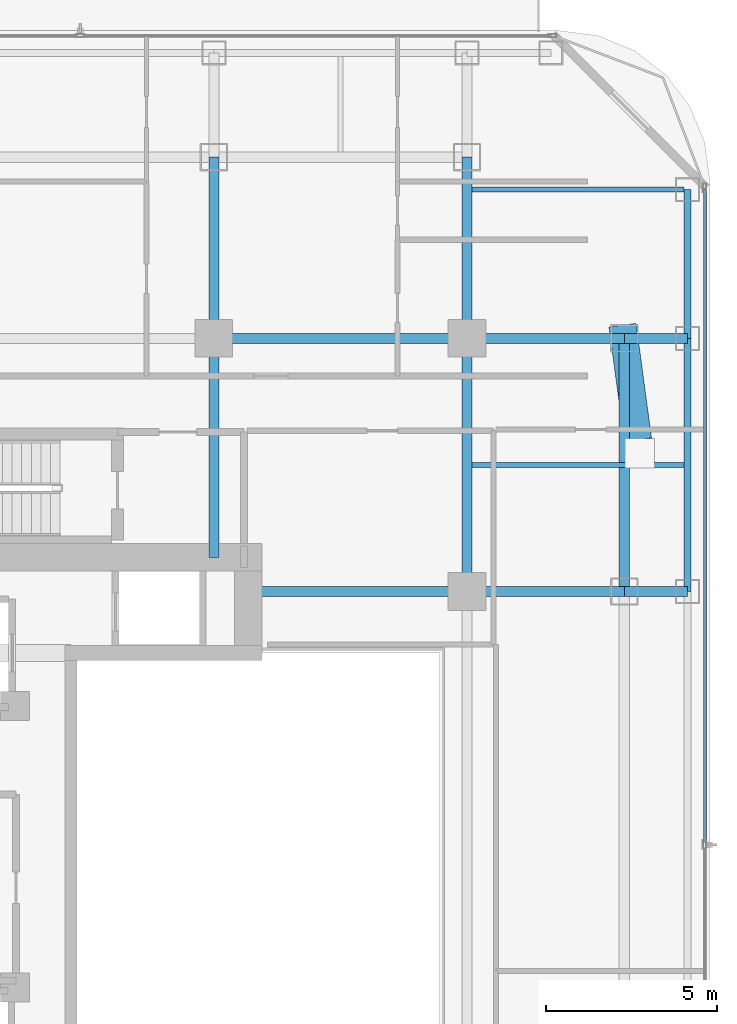
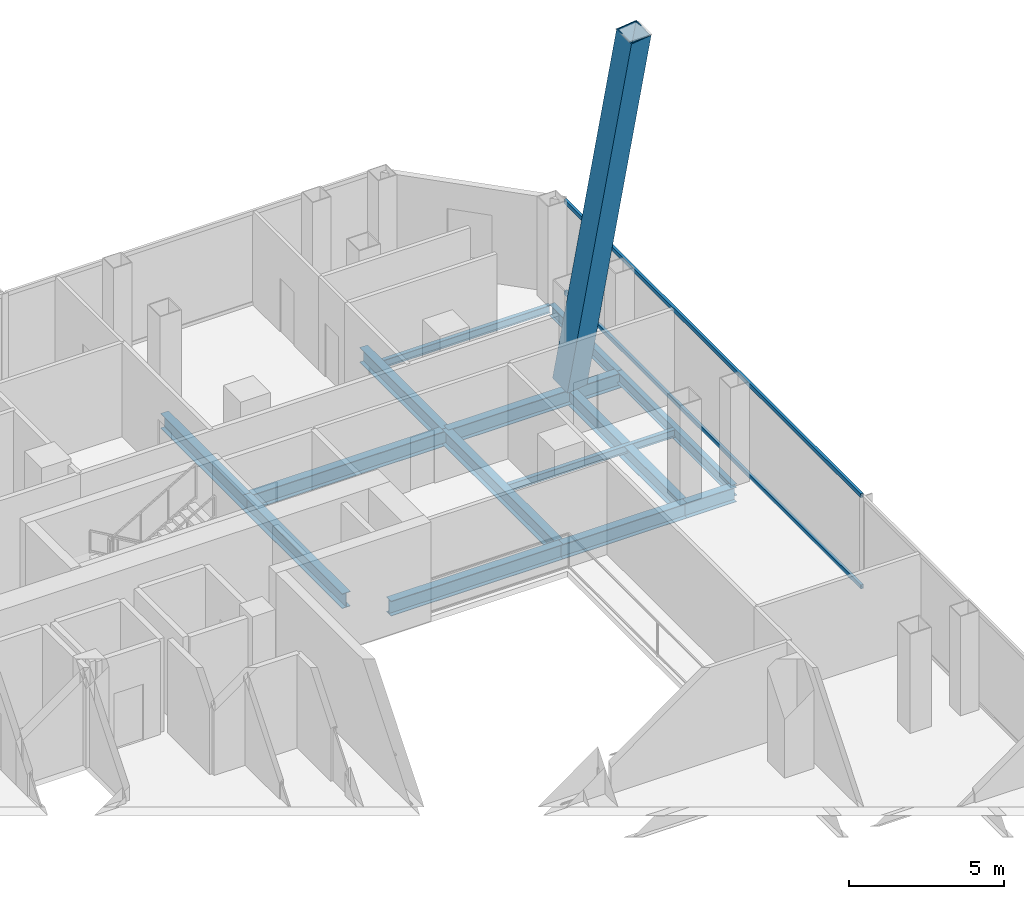
# One storey, part 20 of 34: 15 beams, 3 members, 1 element without a shape of its own.
"""IFC4 building model written with IfcOpenShell, lengths in metres."""

from ifc_helpers import new_model, si_unit, direction, frame, origin, origin_2d, place, context, subcontext, project, spatial, hollow_rectangle, i_section, extrude, material, layer, layer_set, material_profile, profile_set, type_object, element, aggregate, save


model = new_model("IFC4")

# Units and contexts
model_context = context("Model", 3, precision=1e-05, world=origin(), true_north=direction((0.0, 1.0)))
body_context = subcontext(model_context, "Body", "Model", "MODEL_VIEW")
ifc_project = project(units=[si_unit("LENGTHUNIT", "METRE"), si_unit("AREAUNIT", "SQUARE_METRE"), si_unit("VOLUMEUNIT", "CUBIC_METRE"), si_unit("PLANEANGLEUNIT", "RADIAN"), si_unit("MASSUNIT", "GRAM", prefix="KILO")], contexts=[model_context])

# Site, building, storey
site_placement = place(None, origin())
site = spatial("IfcSite", under=ifc_project, at=site_placement, CompositionType="ELEMENT")
building_placement = place(site_placement, origin())
building = spatial("IfcBuilding", under=site, at=building_placement, Name="Khorvyn Point Tower", CompositionType="ELEMENT")
storey_placement = place(building_placement, frame((0.0, 0.0, 175.800048828125)))
storey = spatial("IfcBuildingStorey", under=building, at=storey_placement, Name="L43", CompositionType="ELEMENT", Elevation=175.800048828125)

# Curtain wall, members
ifc_material_1 = material(Name="Anodised aluminium 6063-T6 and laminated Low-E glass", Category="aluminium")
ifc_layer = layer(ifc_material_1, 0.18994140625)
ifc_layer_set = layer_set([ifc_layer], Name="Stick-Built Acoustic Curtain Wall CW-SYS-03")
curtain_wall_type = type_object("IfcCurtainWallType", Name="Stick-Built Acoustic Curtain Wall CW-SYS-03", PredefinedType="NOTDEFINED", material=ifc_layer_set)
curtain_wall_placement = place(storey_placement, origin())
curtain_wall = element("IfcCurtainWall", 1, at=curtain_wall_placement, inside=storey, type_object=curtain_wall_type, Name="Curtain Wall", PredefinedType="NOTDEFINED")
ifc_material_2 = material(Name="Anodised aluminium 6063-T6", Category="aluminium")
ifc_material_profile_1 = material_profile(ifc_material_2, hollow_rectangle(XDim=0.10009765625, YDim=0.159912109375, WallThickness=0.00439453125, at=origin_2d()))
ifc_profile_set_1 = profile_set([ifc_material_profile_1], Name="Anodised aluminium 6063-T6 ALU-TRN-100x160")
member_type_1 = type_object("IfcMemberType", Name="Anodised Aluminium 6063-T6 Transom ALU-TRN-100x160", PredefinedType="USERDEFINED", material=ifc_profile_set_1)
member_1_placement = place(storey_placement, frame((21.75, 19.14990234375, 0.050048828125), z_axis=(0.0, -1.0, 0.0), x_axis=(1.0, 0.0, 0.0)))
member_1 = element("IfcMember", 2, at=member_1_placement, type_object=member_type_1, Name="Transom", ObjectType="TRANSOM", PredefinedType="USERDEFINED", context=body_context, shape_type="SweptSolid", body=[
    extrude(hollow_rectangle(XDim=0.10009765625, YDim=0.159912109375, WallThickness=0.00439453125, at=origin_2d()), origin(), (0.0, 0.0, 1.0), 19.099853515625),
])
member_2_placement = place(storey_placement, frame((21.75, 19.14990234375, 3.6298828125), z_axis=(0.0, -1.0, 0.0), x_axis=(1.0, 0.0, 0.0)))
member_2 = element("IfcMember", 3, at=member_2_placement, type_object=member_type_1, Name="Transom", ObjectType="TRANSOM", PredefinedType="USERDEFINED", context=body_context, shape_type="SweptSolid", body=[
    extrude(hollow_rectangle(XDim=0.10009765625, YDim=0.159912109375, WallThickness=0.00439453125, at=origin_2d()), origin(), (0.0, 0.0, 1.0), 19.099853515625),
])
aggregate(curtain_wall, [member_1, member_2])

# Beams
ifc_material_3 = material(Name="Steel S355", Category="steel")
ifc_material_profile_2 = material_profile(ifc_material_3, i_section(OverallWidth=0.300048828125, OverallDepth=0.587890625, WebThickness=0.011962890625, FlangeThickness=0.02001953125, at=origin_2d()))
ifc_profile_set_2 = profile_set([ifc_material_profile_2], Name="Steel S355 H588x300x12x20")
beam_type_1 = type_object("IfcBeamType", Name="Steel S355 Beam H588x300x12x20", PredefinedType="BEAM", material=ifc_profile_set_2)
beam_1_placement = place(storey_placement, frame((7.39990234375, 14.800048828125, -0.51416015625), z_axis=(1.0, 0.0, 0.0), x_axis=(0.0, 1.0, 0.0)))
element("IfcBeam", 4, at=beam_1_placement, inside=storey, type_object=beam_type_1, Name="Beam", PredefinedType="BEAM", context=body_context, shape_type="SweptSolid", body=[
    extrude(i_section(OverallWidth=0.300048828125, OverallDepth=0.587890625, WebThickness=0.011962890625, FlangeThickness=0.02001953125, at=origin_2d()), origin(), (0.0, 0.0, 1.0), 7.400146484375),
])
beam_2_placement = place(storey_placement, frame((14.800048828125, 14.800048828125, -0.51416015625), z_axis=(1.0, 0.0, 0.0), x_axis=(0.0, 1.0, 0.0)))
element("IfcBeam", 5, at=beam_2_placement, inside=storey, type_object=beam_type_1, Name="Beam", PredefinedType="BEAM", context=body_context, shape_type="SweptSolid", body=[
    extrude(i_section(OverallWidth=0.300048828125, OverallDepth=0.587890625, WebThickness=0.011962890625, FlangeThickness=0.02001953125, at=origin_2d()), origin(), (0.0, 0.0, 1.0), 4.599853515625),
])
beam_3_placement = place(storey_placement, frame((19.39990234375, 14.800048828125, -0.51416015625), z_axis=(1.0, 0.0, 0.0), x_axis=(0.0, 1.0, 0.0)))
element("IfcBeam", 6, at=beam_3_placement, inside=storey, type_object=beam_type_1, Name="Beam", PredefinedType="BEAM", context=body_context, shape_type="SweptSolid", body=[
    extrude(i_section(OverallWidth=0.300048828125, OverallDepth=0.587890625, WebThickness=0.011962890625, FlangeThickness=0.02001953125, at=origin_2d()), origin(), (0.0, 0.0, 1.0), 1.85009765625),
])
beam_4_placement = place(storey_placement, frame((8.39990234375, 7.39990234375, -0.51416015625), z_axis=(1.0, 0.0, 0.0), x_axis=(0.0, 1.0, 0.0)))
element("IfcBeam", 7, at=beam_4_placement, inside=storey, type_object=beam_type_1, Name="Beam", PredefinedType="BEAM", context=body_context, shape_type="SweptSolid", body=[
    extrude(i_section(OverallWidth=0.300048828125, OverallDepth=0.587890625, WebThickness=0.011962890625, FlangeThickness=0.02001953125, at=origin_2d()), origin(), (0.0, 0.0, 1.0), 6.400146484375),
])
beam_5_placement = place(storey_placement, frame((14.800048828125, 7.39990234375, -0.51416015625), z_axis=(1.0, 0.0, 0.0), x_axis=(0.0, 1.0, 0.0)))
element("IfcBeam", 8, at=beam_5_placement, inside=storey, type_object=beam_type_1, Name="Beam", PredefinedType="BEAM", context=body_context, shape_type="SweptSolid", body=[
    extrude(i_section(OverallWidth=0.300048828125, OverallDepth=0.587890625, WebThickness=0.011962890625, FlangeThickness=0.02001953125, at=origin_2d()), origin(), (0.0, 0.0, 1.0), 4.599853515625),
])
beam_6_placement = place(storey_placement, frame((19.39990234375, 7.39990234375, -0.51416015625), z_axis=(1.0, 0.0, 0.0), x_axis=(0.0, 1.0, 0.0)))
element("IfcBeam", 9, at=beam_6_placement, inside=storey, type_object=beam_type_1, Name="Beam", PredefinedType="BEAM", context=body_context, shape_type="SweptSolid", body=[
    extrude(i_section(OverallWidth=0.300048828125, OverallDepth=0.587890625, WebThickness=0.011962890625, FlangeThickness=0.02001953125, at=origin_2d()), origin(), (0.0, 0.0, 1.0), 1.85009765625),
])
beam_7_placement = place(storey_placement, frame((14.800048828125, 7.39990234375, -0.51416015625), z_axis=(0.0, 1.0, 0.0), x_axis=(-1.0, 0.0, 0.0)))
element("IfcBeam", 10, at=beam_7_placement, inside=storey, type_object=beam_type_1, Name="Beam", PredefinedType="BEAM", context=body_context, shape_type="SweptSolid", body=[
    extrude(i_section(OverallWidth=0.300048828125, OverallDepth=0.587890625, WebThickness=0.011962890625, FlangeThickness=0.02001953125, at=origin_2d()), origin(), (0.0, 0.0, 1.0), 7.400146484375),
])
beam_8_placement = place(storey_placement, frame((14.800048828125, 14.800048828125, -0.51416015625), z_axis=(0.0, 1.0, 0.0), x_axis=(-1.0, 0.0, 0.0)))
element("IfcBeam", 11, at=beam_8_placement, inside=storey, type_object=beam_type_1, Name="Beam", PredefinedType="BEAM", context=body_context, shape_type="SweptSolid", body=[
    extrude(i_section(OverallWidth=0.300048828125, OverallDepth=0.587890625, WebThickness=0.011962890625, FlangeThickness=0.02001953125, at=origin_2d()), origin(), (0.0, 0.0, 1.0), 5.300048828125),
])
beam_9_placement = place(storey_placement, frame((7.39990234375, 8.39990234375, -0.51416015625), z_axis=(0.0, 1.0, 0.0), x_axis=(-1.0, 0.0, 0.0)))
element("IfcBeam", 12, at=beam_9_placement, inside=storey, type_object=beam_type_1, Name="Beam", PredefinedType="BEAM", context=body_context, shape_type="SweptSolid", body=[
    extrude(i_section(OverallWidth=0.300048828125, OverallDepth=0.587890625, WebThickness=0.011962890625, FlangeThickness=0.02001953125, at=origin_2d()), origin(), (0.0, 0.0, 1.0), 6.400146484375),
])
beam_10_placement = place(storey_placement, frame((7.39990234375, 14.800048828125, -0.51416015625), z_axis=(0.0, 1.0, 0.0), x_axis=(-1.0, 0.0, 0.0)))
element("IfcBeam", 13, at=beam_10_placement, inside=storey, type_object=beam_type_1, Name="Beam", PredefinedType="BEAM", context=body_context, shape_type="SweptSolid", body=[
    extrude(i_section(OverallWidth=0.300048828125, OverallDepth=0.587890625, WebThickness=0.011962890625, FlangeThickness=0.02001953125, at=origin_2d()), origin(), (0.0, 0.0, 1.0), 5.300048828125),
])
beam_11_placement = place(storey_placement, frame((19.39990234375, 7.39990234375, -0.51416015625), z_axis=(0.0, 1.0, 0.0), x_axis=(-1.0, 0.0, 0.0)))
element("IfcBeam", 14, at=beam_11_placement, inside=storey, type_object=beam_type_1, Name="Beam", PredefinedType="BEAM", context=body_context, shape_type="SweptSolid", body=[
    extrude(i_section(OverallWidth=0.300048828125, OverallDepth=0.587890625, WebThickness=0.011962890625, FlangeThickness=0.02001953125, at=origin_2d()), origin(), (0.0, 0.0, 1.0), 7.400146484375),
])
ifc_material_profile_3 = material_profile(ifc_material_3, i_section(OverallWidth=0.14990234375, OverallDepth=0.300048828125, WebThickness=0.006591796875, FlangeThickness=0.009033203125, at=origin_2d()))
ifc_profile_set_3 = profile_set([ifc_material_profile_3], Name="Steel S355 H300x150x6.5x9")
beam_type_2 = type_object("IfcBeamType", Name="Steel S355 Joist H300x150x6.5x9", PredefinedType="JOIST", material=ifc_profile_set_3)
for number, where, z_axis, x_axis, name in (
    (15, (14.949951171875, 11.10009765625, -0.3701171875), (1.0, 0.0, 0.0), (0.0, 1.0, 0.0), "Beam"),
    (16, (14.949951171875, 19.14990234375, -0.3701171875), (1.0, 0.0, 0.0), (0.0, 1.0, 0.0), "Beam"),
):
    element("IfcBeam", number, at=place(storey_placement, frame(where, z_axis=z_axis, x_axis=x_axis)), inside=storey, type_object=beam_type_2, Name=name, PredefinedType="JOIST", context=body_context, shape_type="SweptSolid", body=[
        extrude(i_section(OverallWidth=0.14990234375, OverallDepth=0.300048828125, WebThickness=0.006591796875, FlangeThickness=0.009033203125, at=origin_2d()), origin(), (0.0, 0.0, 1.0), 6.199951171875),
    ])
ifc_material_profile_4 = material_profile(ifc_material_3, i_section(OverallWidth=0.199951171875, OverallDepth=0.449951171875, WebThickness=0.009033203125, FlangeThickness=0.013916015625, at=origin_2d()))
ifc_profile_set_4 = profile_set([ifc_material_profile_4], Name="Steel S355 H450x200x9x14")
beam_type_3 = type_object("IfcBeamType", Name="Steel S355 Spandrel H450x200x9x14", PredefinedType="SPANDREL", material=ifc_profile_set_4)
beam_12_placement = place(storey_placement, frame((21.25, 7.39990234375, -0.445068359375), z_axis=(0.0, 1.0, 0.0), x_axis=(-1.0, 0.0, 0.0)))
element("IfcBeam", 17, at=beam_12_placement, inside=storey, type_object=beam_type_3, Name="Beam", PredefinedType="SPANDREL", context=body_context, shape_type="SweptSolid", body=[
    extrude(i_section(OverallWidth=0.199951171875, OverallDepth=0.449951171875, WebThickness=0.009033203125, FlangeThickness=0.013916015625, at=origin_2d()), origin(), (0.0, 0.0, 1.0), 7.400146484375),
])
beam_13_placement = place(storey_placement, frame((21.25, 14.800048828125, -0.445068359375), z_axis=(0.0, 1.0, 0.0), x_axis=(-1.0, 0.0, 0.0)))
element("IfcBeam", 18, at=beam_13_placement, inside=storey, type_object=beam_type_3, Name="Beam", PredefinedType="SPANDREL", context=body_context, shape_type="SweptSolid", body=[
    extrude(i_section(OverallWidth=0.199951171875, OverallDepth=0.449951171875, WebThickness=0.009033203125, FlangeThickness=0.013916015625, at=origin_2d()), origin(), (0.0, 0.0, 1.0), 4.349853515625),
])

# Member
ifc_material_4 = material(Name="Steel S450", Category="steel")
ifc_material_profile_5 = material_profile(ifc_material_4, hollow_rectangle(XDim=0.800048828125, YDim=0.800048828125, WallThickness=0.035888671875, at=origin_2d()))
ifc_profile_set_5 = profile_set([ifc_material_profile_5], Name="Steel S450 BOX800x800x36")
member_type_2 = type_object("IfcMemberType", Name="Steel S450 Exoskeleton Structural Post BOX800x800x36", PredefinedType="POST", material=ifc_profile_set_5)
member_3_placement = place(storey_placement, frame((19.39990234375, 14.800048828125, 0.0), z_axis=(0.028204423579, -0.209881290863, 0.977319985591), x_axis=(0.991091121442, 0.133185543502, 0.0)))
element("IfcMember", 19, at=member_3_placement, inside=storey, type_object=member_type_2, Name="L43 to L47 Exoskeleton Transfer Post 06", PredefinedType="POST", context=body_context, shape_type="SweptSolid", body=[
    extrude(hollow_rectangle(XDim=0.800048828125, YDim=0.800048828125, WallThickness=0.035888671875, at=origin_2d()), origin(), (0.0, 0.0, 1.0), 15.9619140625),
])

save(model, "model.ifc")
